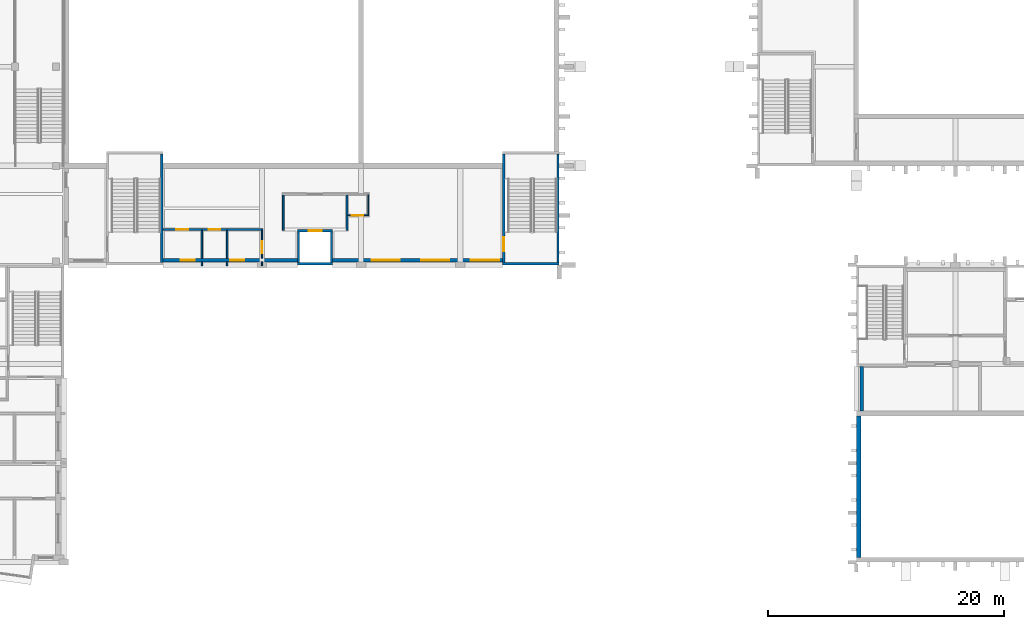
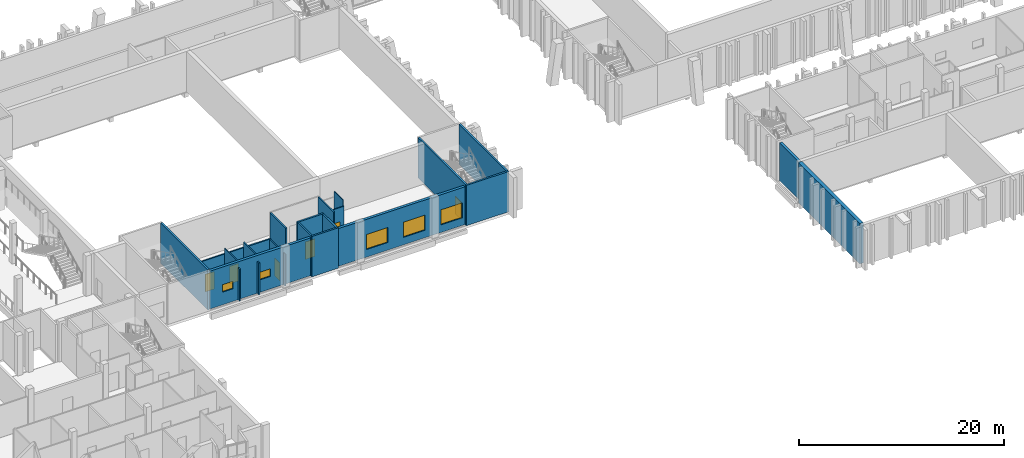
# One storey, part 35 of 91: 23 walls, 6 doors, 5 windows, 11 openings.
"""IFC4 building model written with IfcOpenShell, lengths in metres."""

from ifc_helpers import new_model, si_unit, direction, frame, frame_2d, origin, place, context, subcontext, project, spatial, rectangle, extrude, material, layer, layer_set, type_object, element, fill, save


model = new_model("IFC4")

# Units and contexts
model_context = context("Model", 3, precision=1e-05, world=origin(), true_north=direction((0.0, 1.0)))
body_context = subcontext(model_context, "Body", "Model", "MODEL_VIEW")
ifc_project = project(units=[si_unit("LENGTHUNIT", "METRE"), si_unit("AREAUNIT", "SQUARE_METRE"), si_unit("VOLUMEUNIT", "CUBIC_METRE"), si_unit("PLANEANGLEUNIT", "RADIAN"), si_unit("MASSUNIT", "GRAM", prefix="KILO")], contexts=[model_context])

# Site, building, storey
site_placement = place(None, origin())
site = spatial("IfcSite", under=ifc_project, at=site_placement, CompositionType="ELEMENT")
building_placement = place(site_placement, origin())
building = spatial("IfcBuilding", under=site, at=building_placement, Name="Kiln Court Media Centre", CompositionType="ELEMENT")
storey_placement = place(building_placement, frame((0.0, 0.0, 5.39990234375)))
storey = spatial("IfcBuildingStorey", under=building, at=storey_placement, Name="L01", CompositionType="ELEMENT", Elevation=5.39990234375)

# Walls
ifc_material_1 = material(Name="Concrete block masonry M7.5", Category="masonry")
ifc_layer_1 = layer(ifc_material_1, 0.14990234375)
ifc_layer_set_1 = layer_set([ifc_layer_1], Name="Block lobby wall 150 EI 120")
wall_type_1 = type_object("IfcWallType", Name="Block lobby wall 150 EI 120", PredefinedType="SOLIDWALL", material=ifc_layer_set_1)
for number, where, z_axis, x_axis, name in (
    (1, (77.39990234375, 28.125, 0.0), (0.0, 0.0, 1.0), (0.0, 1.0, 0.0), "L01 block lobby wall"),
    (2, (82.800048828125, 28.125, 0.0), (0.0, 0.0, 1.0), (0.0, 1.0, 0.0), "L01 block lobby wall"),
):
    element("IfcWall", number, at=place(storey_placement, frame(where, z_axis=z_axis, x_axis=x_axis)), inside=storey, type_object=wall_type_1, Name=name, PredefinedType="SOLIDWALL", context=body_context, shape_type="SweptSolid", body=[
        extrude(rectangle(XDim=3.0, YDim=0.14990234375, at=frame_2d((1.5, 0.0))), origin(), (0.0, 0.0, 1.0), 4.5),
    ])

# Wall, openings, windows
ifc_material_2 = material(Name="Concrete C40/50", Category="concrete")
ifc_layer_2 = layer(ifc_material_2, 0.300048828125)
ifc_layer_set_2 = layer_set([ifc_layer_2], Name="Concrete C40/50 board-marked facade wall 300")
wall_type_2 = type_object("IfcWallType", Name="Concrete C40/50 board-marked facade wall 300", PredefinedType="SOLIDWALL", material=ifc_layer_set_2)
wall_1_placement = place(storey_placement, frame((78.60009765625, 25.60009765625, 0.0), z_axis=(0.0, 0.0, 1.0), x_axis=(-1.0, 0.0, 0.0)))
wall_1 = element("IfcWall", 3, at=wall_1_placement, inside=storey, type_object=wall_type_2, Name="V1 S facade wall 4001", PredefinedType="SOLIDWALL", context=body_context, shape_type="SweptSolid", body=[
    extrude(rectangle(XDim=11.400146484375, YDim=0.300048828125, at=frame_2d((5.7001953125, 0.0))), origin(), (0.0, 0.0, 1.0), 4.5),
])
opening_1_placement = place(wall_1_placement, frame((8.699951171875, 0.0, 1.5)))
opening_1 = element("IfcOpeningElement", 4, at=opening_1_placement, cuts=wall_1, Name="Opening WN1501", PredefinedType="OPENING", context=body_context, shape_type="SweptSolid", body=[
    extrude(rectangle(XDim=1.199951171875, YDim=0.89990234375, at=frame_2d((0.60009765625, 0.449951171875))), frame((0.0, 0.159912109375, 0.0), z_axis=(0.0, -1.0, 0.0), x_axis=(1.0, 0.0, 0.0)), (0.0, 0.0, 1.0), 0.320068359375),
])
opening_2_placement = place(wall_1_placement, frame((4.5, 0.0, 1.5)))
opening_2 = element("IfcOpeningElement", 5, at=opening_2_placement, cuts=wall_1, Name="Opening WN1502", PredefinedType="OPENING", context=body_context, shape_type="SweptSolid", body=[
    extrude(rectangle(XDim=1.199951171875, YDim=0.89990234375, at=frame_2d((0.60009765625, 0.449951171875))), frame((0.0, 0.159912109375, 0.0), z_axis=(0.0, -1.0, 0.0), x_axis=(1.0, 0.0, 0.0)), (0.0, 0.0, 1.0), 0.320068359375),
])
ifc_material_3 = material(Name="Aluminium 6063-T6", Category="aluminium")
window_type_1 = type_object("IfcWindowType", Name="Aluminium control room window 1200x900", PartitioningType="SINGLE_PANEL", PredefinedType="WINDOW", material=ifc_material_3)
window_1_placement = place(opening_1_placement, origin())
window_1 = element("IfcWindow", 6, at=window_1_placement, inside=storey, type_object=window_type_1, Name="V1 S wc window", OverallHeight=0.89990234375, OverallWidth=1.199951171875, PartitioningType="SINGLE_PANEL", PredefinedType="WINDOW", context=body_context, shape_type="SweptSolid", body=[
    extrude(rectangle(XDim=1.199951171875, YDim=0.89990234375, at=frame_2d((0.60009765625, 0.449951171875))), frame((0.0, 0.030029296875, 0.0), z_axis=(0.0, -1.0, 0.0), x_axis=(1.0, 0.0, 0.0)), (0.0, 0.0, 1.0), 0.06005859375),
])
fill(opening_1, window_1)
window_2_placement = place(opening_2_placement, origin())
window_2 = element("IfcWindow", 7, at=window_2_placement, inside=storey, type_object=window_type_1, Name="V1 S wc window", OverallHeight=0.89990234375, OverallWidth=1.199951171875, PartitioningType="SINGLE_PANEL", PredefinedType="WINDOW", context=body_context, shape_type="SweptSolid", body=[
    extrude(rectangle(XDim=1.199951171875, YDim=0.89990234375, at=frame_2d((0.60009765625, 0.449951171875))), frame((0.0, 0.030029296875, 0.0), z_axis=(0.0, -1.0, 0.0), x_axis=(1.0, 0.0, 0.0)), (0.0, 0.0, 1.0), 0.06005859375),
])
fill(opening_2, window_2)

wall_2_placement = place(storey_placement, frame((96.0, 25.60009765625, 0.0), z_axis=(0.0, 0.0, 1.0), x_axis=(-1.0, 0.0, 0.0)))
wall_2 = element("IfcWall", 8, at=wall_2_placement, inside=storey, type_object=wall_type_2, Name="V1 S facade wall 4002", PredefinedType="SOLIDWALL", context=body_context, shape_type="SweptSolid", body=[
    extrude(rectangle(XDim=14.39990234375, YDim=0.300048828125, at=frame_2d((7.199951171875, 0.0))), origin(), (0.0, 0.0, 1.0), 4.5),
])
opening_3_placement = place(wall_2_placement, frame((8.699951171875, 0.0, 0.89990234375)))
opening_3 = element("IfcOpeningElement", 9, at=opening_3_placement, cuts=wall_2, Name="Opening WN1503", PredefinedType="OPENING", context=body_context, shape_type="SweptSolid", body=[
    extrude(rectangle(XDim=2.39990234375, YDim=1.800048828125, at=frame_2d((1.199951171875, 0.89990234375))), frame((0.0, 0.159912109375, 0.0), z_axis=(0.0, -1.0, 0.0), x_axis=(1.0, 0.0, 0.0)), (0.0, 0.0, 1.0), 0.320068359375),
])
opening_4_placement = place(wall_2_placement, frame((4.5, 0.0, 0.89990234375)))
opening_4 = element("IfcOpeningElement", 10, at=opening_4_placement, cuts=wall_2, Name="Opening WN1504", PredefinedType="OPENING", context=body_context, shape_type="SweptSolid", body=[
    extrude(rectangle(XDim=2.39990234375, YDim=1.800048828125, at=frame_2d((1.199951171875, 0.89990234375))), frame((0.0, 0.159912109375, 0.0), z_axis=(0.0, -1.0, 0.0), x_axis=(1.0, 0.0, 0.0)), (0.0, 0.0, 1.0), 0.320068359375),
])
opening_5_placement = place(wall_2_placement, frame((0.300048828125, 0.0, 0.89990234375)))
opening_5 = element("IfcOpeningElement", 11, at=opening_5_placement, cuts=wall_2, Name="Opening WN1505", PredefinedType="OPENING", context=body_context, shape_type="SweptSolid", body=[
    extrude(rectangle(XDim=2.39990234375, YDim=1.800048828125, at=frame_2d((1.199951171875, 0.89990234375))), frame((0.0, 0.159912109375, 0.0), z_axis=(0.0, -1.0, 0.0), x_axis=(1.0, 0.0, 0.0)), (0.0, 0.0, 1.0), 0.320068359375),
])
ifc_material_4 = material(Name="Aluminium 6063-T6", Category="aluminium")
window_type_2 = type_object("IfcWindowType", Name="Aluminium lobby window 2400x1800", PartitioningType="TRIPLE_PANEL_VERTICAL", PredefinedType="WINDOW", material=ifc_material_4)
window_3_placement = place(opening_3_placement, origin())
window_3 = element("IfcWindow", 12, at=window_3_placement, inside=storey, type_object=window_type_2, Name="V1 S lounge window", OverallHeight=1.800048828125, OverallWidth=2.39990234375, PartitioningType="SINGLE_PANEL", PredefinedType="WINDOW", context=body_context, shape_type="SweptSolid", body=[
    extrude(rectangle(XDim=2.39990234375, YDim=1.800048828125, at=frame_2d((1.199951171875, 0.89990234375))), frame((0.0, 0.030029296875, 0.0), z_axis=(0.0, -1.0, 0.0), x_axis=(1.0, 0.0, 0.0)), (0.0, 0.0, 1.0), 0.06005859375),
])
fill(opening_3, window_3)
window_4_placement = place(opening_4_placement, origin())
window_4 = element("IfcWindow", 13, at=window_4_placement, inside=storey, type_object=window_type_2, Name="V1 S lounge window", OverallHeight=1.800048828125, OverallWidth=2.39990234375, PartitioningType="SINGLE_PANEL", PredefinedType="WINDOW", context=body_context, shape_type="SweptSolid", body=[
    extrude(rectangle(XDim=2.39990234375, YDim=1.800048828125, at=frame_2d((1.199951171875, 0.89990234375))), frame((0.0, 0.030029296875, 0.0), z_axis=(0.0, -1.0, 0.0), x_axis=(1.0, 0.0, 0.0)), (0.0, 0.0, 1.0), 0.06005859375),
])
fill(opening_4, window_4)
window_5_placement = place(opening_5_placement, origin())
window_5 = element("IfcWindow", 14, at=window_5_placement, inside=storey, type_object=window_type_2, Name="V1 S lounge window", OverallHeight=1.800048828125, OverallWidth=2.39990234375, PartitioningType="SINGLE_PANEL", PredefinedType="WINDOW", context=body_context, shape_type="SweptSolid", body=[
    extrude(rectangle(XDim=2.39990234375, YDim=1.800048828125, at=frame_2d((1.199951171875, 0.89990234375))), frame((0.0, 0.030029296875, 0.0), z_axis=(0.0, -1.0, 0.0), x_axis=(1.0, 0.0, 0.0)), (0.0, 0.0, 1.0), 0.06005859375),
])
fill(opening_5, window_5)

# Walls
wall_3_placement = place(storey_placement, frame((126.449951171875, 12.800048828125, 0.0), z_axis=(0.0, 0.0, 1.0), x_axis=(0.0, 1.0, 0.0)))
element("IfcWall", 15, at=wall_3_placement, inside=storey, type_object=wall_type_2, Name="V5 W facade wall 4011", PredefinedType="SOLIDWALL", context=body_context, shape_type="SweptSolid", body=[
    extrude(rectangle(XDim=3.800048828125, YDim=0.300048828125, at=frame_2d((1.89990234375, 0.0))), origin(), (0.0, 0.0, 1.0), 4.5),
])
ifc_material_5 = material(Name="Concrete C40/50", Category="concrete")
ifc_layer_3 = layer(ifc_material_5, 0.199951171875)
ifc_layer_set_3 = layer_set([ifc_layer_3], Name="Concrete C40/50 shear wall 200")
wall_type_3 = type_object("IfcWallType", Name="Concrete C40/50 shear wall 200", PredefinedType="SHEAR", material=ifc_layer_set_3)
wall_4_placement = place(storey_placement, frame((67.10009765625, 34.60009765625, 0.0), z_axis=(0.0, 0.0, 1.0), x_axis=(0.0, -1.0, 0.0)))
element("IfcWall", 16, at=wall_4_placement, inside=storey, type_object=wall_type_3, Name="L01-W-1035", PredefinedType="SHEAR", context=body_context, shape_type="SweptSolid", body=[
    extrude(rectangle(XDim=9.2001953125, YDim=0.199951171875, at=frame_2d((4.60009765625, 0.0))), origin(), (0.0, 0.0, 1.0), 4.800048828125),
])
wall_5_placement = place(storey_placement, frame((100.800048828125, 25.300048828125, 0.0), z_axis=(0.0, 0.0, 1.0), x_axis=(-1.0, 0.0, 0.0)))
element("IfcWall", 17, at=wall_5_placement, inside=storey, type_object=wall_type_3, Name="L01-W-1036", PredefinedType="SHEAR", context=body_context, shape_type="SweptSolid", body=[
    extrude(rectangle(XDim=4.800048828125, YDim=0.199951171875, at=frame_2d((2.39990234375, 0.0))), origin(), (0.0, 0.0, 1.0), 4.800048828125),
])

# Wall, opening, door
wall_6_placement = place(storey_placement, frame((96.10009765625, 25.39990234375, 0.0), z_axis=(0.0, 0.0, 1.0), x_axis=(0.0, 1.0, 0.0)))
wall_6 = element("IfcWall", 18, at=wall_6_placement, inside=storey, type_object=wall_type_3, Name="L01-W-1038", PredefinedType="SHEAR", context=body_context, shape_type="SweptSolid", body=[
    extrude(rectangle(XDim=9.2001953125, YDim=0.199951171875, at=frame_2d((4.60009765625, 0.0))), origin(), (0.0, 0.0, 1.0), 4.800048828125),
])
opening_6_placement = place(wall_6_placement, frame((0.9501953125, 0.0, 0.0)))
opening_6 = element("IfcOpeningElement", 19, at=opening_6_placement, cuts=wall_6, Name="Opening D1002", PredefinedType="OPENING", context=body_context, shape_type="SweptSolid", body=[
    extrude(rectangle(XDim=1.199951171875, YDim=2.10009765625, at=frame_2d((0.60009765625, 1.050048828125))), frame((0.0, 0.10986328125, 0.0), z_axis=(0.0, -1.0, 0.0), x_axis=(1.0, 0.0, 0.0)), (0.0, 0.0, 1.0), 0.219970703125),
])
ifc_material_6 = material(Name="Steel S275", Category="steel")
door_type_1 = type_object("IfcDoorType", Name="Steel stair door 1200 x 2100 FD180", OperationType="SINGLE_SWING_LEFT", PredefinedType="DOOR", material=ifc_material_6)
door_1_placement = place(opening_6_placement, origin())
door_1 = element("IfcDoor", 20, at=door_1_placement, inside=storey, type_object=door_type_1, Name="Cinema Lounge / Stair 10", OperationType="SINGLE_SWING_LEFT", OverallHeight=2.10009765625, OverallWidth=1.199951171875, PredefinedType="DOOR", context=body_context, shape_type="SweptSolid", body=[
    extrude(rectangle(XDim=1.199951171875, YDim=2.10009765625, at=frame_2d((0.60009765625, 1.050048828125))), frame((0.0, 0.02490234375, 0.0), z_axis=(0.0, -1.0, 0.0), x_axis=(1.0, 0.0, 0.0)), (0.0, 0.0, 1.0), 0.050048828125),
])
fill(opening_6, door_1)

# Walls
wall_7_placement = place(storey_placement, frame((100.699951171875, 34.60009765625, 0.0), z_axis=(0.0, 0.0, 1.0), x_axis=(0.0, -1.0, 0.0)))
element("IfcWall", 21, at=wall_7_placement, inside=storey, type_object=wall_type_3, Name="L01-W-1039", PredefinedType="SHEAR", context=body_context, shape_type="SweptSolid", body=[
    extrude(rectangle(XDim=9.2001953125, YDim=0.199951171875, at=frame_2d((4.60009765625, 0.0))), origin(), (0.0, 0.0, 1.0), 4.800048828125),
])
wall_8_placement = place(storey_placement, frame((81.60009765625, 25.300048828125, 0.0), z_axis=(0.0, 0.0, 1.0), x_axis=(-1.0, 0.0, 0.0)))
element("IfcWall", 22, at=wall_8_placement, inside=storey, type_object=wall_type_3, Name="L01-W-1090", PredefinedType="SHEAR", context=body_context, shape_type="SweptSolid", body=[
    extrude(rectangle(XDim=3.0, YDim=0.199951171875, at=frame_2d((1.5, 0.0))), origin(), (0.0, 0.0, 1.0), 4.800048828125),
])

# Wall, opening, door
wall_9_placement = place(storey_placement, frame((78.60009765625, 28.10009765625, 0.0), z_axis=(0.0, 0.0, 1.0), x_axis=(1.0, 0.0, 0.0)))
wall_9 = element("IfcWall", 23, at=wall_9_placement, inside=storey, type_object=wall_type_3, Name="L01-W-1091", PredefinedType="SHEAR", context=body_context, shape_type="SweptSolid", body=[
    extrude(rectangle(XDim=3.0, YDim=0.199951171875, at=frame_2d((1.5, 0.0))), origin(), (0.0, 0.0, 1.0), 4.800048828125),
])
opening_7_placement = place(wall_9_placement, frame((0.949951171875, 0.0, 0.0)))
opening_7 = element("IfcOpeningElement", 24, at=opening_7_placement, cuts=wall_9, Name="Opening LD109", PredefinedType="OPENING", context=body_context, shape_type="SweptSolid", body=[
    extrude(rectangle(XDim=1.10009765625, YDim=2.10009765625, at=frame_2d((0.550048828125, 1.050048828125))), frame((0.0, 0.10986328125, 0.0), z_axis=(0.0, -1.0, 0.0), x_axis=(1.0, 0.0, 0.0)), (0.0, 0.0, 1.0), 0.219970703125),
])
ifc_material_7 = material(Name="Stainless steel", Category="steel")
door_type_2 = type_object("IfcDoorType", Name="Firefighting lift landing door 1100 x 2100 FD120", OperationType="SLIDING_TO_LEFT", PredefinedType="DOOR", material=ifc_material_7)
door_2_placement = place(opening_7_placement, origin())
door_2 = element("IfcDoor", 25, at=door_2_placement, inside=storey, type_object=door_type_2, Name="LF-09 landing door L01", OperationType="SLIDING_TO_LEFT", OverallHeight=2.10009765625, OverallWidth=1.10009765625, PredefinedType="DOOR", context=body_context, shape_type="SweptSolid", body=[
    extrude(rectangle(XDim=1.10009765625, YDim=2.10009765625, at=frame_2d((0.550048828125, 1.050048828125))), frame((0.0, 0.02490234375, 0.0), z_axis=(0.0, -1.0, 0.0), x_axis=(1.0, 0.0, 0.0)), (0.0, 0.0, 1.0), 0.050048828125),
])
fill(opening_7, door_2)

# Walls
for number, where, z_axis, x_axis, name in (
    (26, (78.699951171875, 25.39990234375, 0.0), (0.0, 0.0, 1.0), (0.0, 1.0, 0.0), "L01-W-1092"),
    (27, (81.5, 28.0, 0.0), (0.0, 0.0, 1.0), (0.0, -1.0, 0.0), "L01-W-1093"),
):
    element("IfcWall", number, at=place(storey_placement, frame(where, z_axis=z_axis, x_axis=x_axis)), inside=storey, type_object=wall_type_3, Name=name, PredefinedType="SHEAR", context=body_context, shape_type="SweptSolid", body=[
        extrude(rectangle(XDim=2.60009765625, YDim=0.199951171875, at=frame_2d((1.300048828125, 0.0))), origin(), (0.0, 0.0, 1.0), 4.800048828125),
    ])
ifc_material_8 = material(Name="Concrete C40/50", Category="concrete")
ifc_layer_4 = layer(ifc_material_8, 0.39990234375)
ifc_layer_set_4 = layer_set([ifc_layer_4], Name="Concrete C40/50 studio wall 400")
wall_type_4 = type_object("IfcWallType", Name="Concrete C40/50 studio wall 400", PredefinedType="SHEAR", material=ifc_layer_set_4)
wall_10_placement = place(storey_placement, frame((126.199951171875, 0.39990234375, 0.0), z_axis=(0.0, 0.0, 1.0), x_axis=(0.0, 1.0, 0.0)))
element("IfcWall", 28, at=wall_10_placement, inside=storey, type_object=wall_type_4, Name="L01-W-1134", PredefinedType="SHEAR", context=body_context, shape_type="SweptSolid", body=[
    extrude(rectangle(XDim=12.0, YDim=0.39990234375, at=frame_2d((6.0, 0.0))), origin(), (0.0, 0.0, 1.0), 4.800048828125),
])

# Wall, openings, doors
ifc_material_9 = material(Name="Gypsum plasterboard", Category="gypsum")
ifc_layer_5 = layer(ifc_material_9, 0.14990234375)
ifc_layer_set_5 = layer_set([ifc_layer_5], Name="Gypsum corridor partition 150 EI 60")
wall_type_5 = type_object("IfcWallType", Name="Gypsum corridor partition 150 EI 60", PredefinedType="PARTITIONING", material=ifc_layer_set_5)
wall_11_placement = place(storey_placement, frame((67.2001953125, 28.199951171875, 0.0), z_axis=(0.0, 0.0, 1.0), x_axis=(1.0, 0.0, 0.0)))
wall_11 = element("IfcWall", 29, at=wall_11_placement, inside=storey, type_object=wall_type_5, Name="L01 gypsum corridor partition", PredefinedType="PARTITIONING", context=body_context, shape_type="SweptSolid", body=[
    extrude(rectangle(XDim=8.474853515625, YDim=0.14990234375, at=frame_2d((4.2373046875, 0.0))), origin(), (0.0, 0.0, 1.0), 3.800048828125),
])
opening_8_placement = place(wall_11_placement, frame((1.14990234375, 0.0, 0.0)))
opening_8 = element("IfcOpeningElement", 30, at=opening_8_placement, cuts=wall_11, Name="Opening D1058", PredefinedType="OPENING", context=body_context, shape_type="SweptSolid", body=[
    extrude(rectangle(XDim=1.0, YDim=2.10009765625, at=frame_2d((0.5, 1.050048828125))), frame((0.0, 0.0849609375, 0.0), z_axis=(0.0, -1.0, 0.0), x_axis=(1.0, 0.0, 0.0)), (0.0, 0.0, 1.0), 0.169921875),
])
opening_9_placement = place(wall_11_placement, frame((3.875, 0.0, 0.0)))
opening_9 = element("IfcOpeningElement", 31, at=opening_9_placement, cuts=wall_11, Name="Opening D1059", PredefinedType="OPENING", context=body_context, shape_type="SweptSolid", body=[
    extrude(rectangle(XDim=1.0, YDim=2.10009765625, at=frame_2d((0.5, 1.050048828125))), frame((0.0, 0.0849609375, 0.0), z_axis=(0.0, -1.0, 0.0), x_axis=(1.0, 0.0, 0.0)), (0.0, 0.0, 1.0), 0.169921875),
])
ifc_material_10 = material(Name="Steel S275", Category="steel")
door_type_3 = type_object("IfcDoorType", Name="Steel corridor door 1000 x 2100 FD30S", OperationType="SINGLE_SWING_LEFT", PredefinedType="DOOR", material=ifc_material_10)
door_3_placement = place(opening_8_placement, origin())
door_3 = element("IfcDoor", 32, at=door_3_placement, inside=storey, type_object=door_type_3, Name="Women's WC / Toilet Lobby", OperationType="SINGLE_SWING_LEFT", OverallHeight=2.10009765625, OverallWidth=1.0, PredefinedType="DOOR", context=body_context, shape_type="SweptSolid", body=[
    extrude(rectangle(XDim=1.0, YDim=2.10009765625, at=frame_2d((0.5, 1.050048828125))), frame((0.0, 0.02490234375, 0.0), z_axis=(0.0, -1.0, 0.0), x_axis=(1.0, 0.0, 0.0)), (0.0, 0.0, 1.0), 0.050048828125),
])
fill(opening_8, door_3)
door_4_placement = place(opening_9_placement, origin())
door_4 = element("IfcDoor", 33, at=door_4_placement, inside=storey, type_object=door_type_3, Name="Men's WC / Toilet Lobby", OperationType="SINGLE_SWING_RIGHT", OverallHeight=2.10009765625, OverallWidth=1.0, PredefinedType="DOOR", context=body_context, shape_type="SweptSolid", body=[
    extrude(rectangle(XDim=1.0, YDim=2.10009765625, at=frame_2d((0.5, 1.050048828125))), frame((0.0, 0.02490234375, 0.0), z_axis=(0.0, -1.0, 0.0), x_axis=(1.0, 0.0, 0.0)), (0.0, 0.0, 1.0), 0.050048828125),
])
fill(opening_9, door_4)

# Wall, opening, door
ifc_material_11 = material(Name="Gypsum plasterboard", Category="gypsum")
ifc_layer_6 = layer(ifc_material_11, 0.10009765625)
ifc_layer_set_6 = layer_set([ifc_layer_6], Name="Gypsum stud partition 100")
wall_type_6 = type_object("IfcWallType", Name="Gypsum stud partition 100", PredefinedType="PARTITIONING", material=ifc_layer_set_6)
wall_12_placement = place(storey_placement, frame((82.875, 29.39990234375, 0.0), z_axis=(0.0, 0.0, 1.0), x_axis=(1.0, 0.0, 0.0)))
wall_12 = element("IfcWall", 34, at=wall_12_placement, inside=storey, type_object=wall_type_6, Name="L01 gypsum stud partition", PredefinedType="PARTITIONING", context=body_context, shape_type="SweptSolid", body=[
    extrude(rectangle(XDim=1.77490234375, YDim=0.10009765625, at=frame_2d((0.887451171875, 0.0))), origin(), (0.0, 0.0, 1.0), 3.800048828125),
])
opening_10_placement = place(wall_12_placement, frame((0.324951171875, 0.0, 0.0)))
opening_10 = element("IfcOpeningElement", 35, at=opening_10_placement, cuts=wall_12, Name="Opening D1023", PredefinedType="OPENING", context=body_context, shape_type="SweptSolid", body=[
    extrude(rectangle(XDim=1.0, YDim=2.10009765625, at=frame_2d((0.5, 1.050048828125))), frame((0.0, 0.06005859375, 0.0), z_axis=(0.0, -1.0, 0.0), x_axis=(1.0, 0.0, 0.0)), (0.0, 0.0, 1.0), 0.1201171875),
])
ifc_material_12 = material(Name="Timber", Category="wood")
door_type_4 = type_object("IfcDoorType", Name="Timber door 1000 x 2100", OperationType="SINGLE_SWING_LEFT", PredefinedType="DOOR", material=ifc_material_12)
door_5_placement = place(opening_10_placement, origin())
door_5 = element("IfcDoor", 36, at=door_5_placement, inside=storey, type_object=door_type_4, Name="Cinema Lounge / Wheelchair Refuge", OperationType="SINGLE_SWING_LEFT", OverallHeight=2.10009765625, OverallWidth=1.0, PredefinedType="DOOR", context=body_context, shape_type="SweptSolid", body=[
    extrude(rectangle(XDim=1.0, YDim=2.10009765625, at=frame_2d((0.5, 1.050048828125))), frame((0.0, 0.02490234375, 0.0), z_axis=(0.0, -1.0, 0.0), x_axis=(1.0, 0.0, 0.0)), (0.0, 0.0, 1.0), 0.050048828125),
])
fill(opening_10, door_5)

# Walls
wall_13_placement = place(storey_placement, frame((84.60009765625, 29.449951171875, 0.0), z_axis=(0.0, 0.0, 1.0), x_axis=(0.0, 1.0, 0.0)))
element("IfcWall", 37, at=wall_13_placement, inside=storey, type_object=wall_type_6, Name="L01 gypsum stud partition", PredefinedType="PARTITIONING", context=body_context, shape_type="SweptSolid", body=[
    extrude(rectangle(XDim=1.699951171875, YDim=0.10009765625, at=frame_2d((0.85009765625, 0.0))), origin(), (0.0, 0.0, 1.0), 4.5),
])
ifc_material_13 = material(Name="Gypsum plasterboard", Category="gypsum")
ifc_layer_7 = layer(ifc_material_13, 0.125)
ifc_layer_set_7 = layer_set([ifc_layer_7], Name="Gypsum wet-area partition 125")
wall_type_7 = type_object("IfcWallType", Name="Gypsum wet-area partition 125", PredefinedType="PARTITIONING", material=ifc_layer_set_7)
wall_14_placement = place(storey_placement, frame((70.5, 25.137451171875, 0.0), z_axis=(0.0, 0.0, 1.0), x_axis=(0.0, 1.0, 0.0)))
element("IfcWall", 38, at=wall_14_placement, inside=storey, type_object=wall_type_7, Name="L01 gypsum wet-area partition", PredefinedType="PARTITIONING", context=body_context, shape_type="SweptSolid", body=[
    extrude(rectangle(XDim=0.3125, YDim=0.125, at=frame_2d((0.15625, 0.0))), origin(), (0.0, 0.0, 1.0), 3.800048828125),
])
wall_15_placement = place(storey_placement, frame((70.5, 25.75, 0.0), z_axis=(0.0, 0.0, 1.0), x_axis=(0.0, 1.0, 0.0)))
element("IfcWall", 39, at=wall_15_placement, inside=storey, type_object=wall_type_7, Name="L01 gypsum wet-area partition", PredefinedType="PARTITIONING", context=body_context, shape_type="SweptSolid", body=[
    extrude(rectangle(XDim=2.375, YDim=0.125, at=frame_2d((1.1875, 0.0))), origin(), (0.0, 0.0, 1.0), 4.5),
])
wall_16_placement = place(storey_placement, frame((72.64990234375, 25.137451171875, 0.0), z_axis=(0.0, 0.0, 1.0), x_axis=(0.0, 1.0, 0.0)))
element("IfcWall", 40, at=wall_16_placement, inside=storey, type_object=wall_type_7, Name="L01 gypsum wet-area partition", PredefinedType="PARTITIONING", context=body_context, shape_type="SweptSolid", body=[
    extrude(rectangle(XDim=0.3125, YDim=0.125, at=frame_2d((0.15625, 0.0))), origin(), (0.0, 0.0, 1.0), 3.800048828125),
])
wall_17_placement = place(storey_placement, frame((72.64990234375, 25.75, 0.0), z_axis=(0.0, 0.0, 1.0), x_axis=(0.0, 1.0, 0.0)))
element("IfcWall", 41, at=wall_17_placement, inside=storey, type_object=wall_type_7, Name="L01 gypsum wet-area partition", PredefinedType="PARTITIONING", context=body_context, shape_type="SweptSolid", body=[
    extrude(rectangle(XDim=2.375, YDim=0.125, at=frame_2d((1.1875, 0.0))), origin(), (0.0, 0.0, 1.0), 4.5),
])
wall_18_placement = place(storey_placement, frame((75.60009765625, 25.137451171875, 0.0), z_axis=(0.0, 0.0, 1.0), x_axis=(0.0, 1.0, 0.0)))
element("IfcWall", 42, at=wall_18_placement, inside=storey, type_object=wall_type_7, Name="L01 gypsum wet-area partition", PredefinedType="PARTITIONING", context=body_context, shape_type="SweptSolid", body=[
    extrude(rectangle(XDim=0.3125, YDim=0.125, at=frame_2d((0.15625, 0.0))), origin(), (0.0, 0.0, 1.0), 3.800048828125),
])

# Wall, opening, door
wall_19_placement = place(storey_placement, frame((75.60009765625, 25.75, 0.0), z_axis=(0.0, 0.0, 1.0), x_axis=(0.0, 1.0, 0.0)))
wall_19 = element("IfcWall", 43, at=wall_19_placement, inside=storey, type_object=wall_type_7, Name="L01 gypsum wet-area partition", PredefinedType="PARTITIONING", context=body_context, shape_type="SweptSolid", body=[
    extrude(rectangle(XDim=2.375, YDim=0.125, at=frame_2d((1.1875, 0.0))), origin(), (0.0, 0.0, 1.0), 3.800048828125),
])
opening_11_placement = place(wall_19_placement, frame((0.449951171875, 0.0, 0.0)))
opening_11 = element("IfcOpeningElement", 44, at=opening_11_placement, cuts=wall_19, Name="Opening D1021", PredefinedType="OPENING", context=body_context, shape_type="SweptSolid", body=[
    extrude(rectangle(XDim=1.0, YDim=2.10009765625, at=frame_2d((0.5, 1.050048828125))), frame((0.0, 0.072509765625, 0.0), z_axis=(0.0, -1.0, 0.0), x_axis=(1.0, 0.0, 0.0)), (0.0, 0.0, 1.0), 0.14501953125),
])
ifc_material_14 = material(Name="Timber", Category="wood")
door_type_5 = type_object("IfcDoorType", Name="Accessible timber door 1000 x 2100", OperationType="SINGLE_SWING_LEFT", PredefinedType="DOOR", material=ifc_material_14)
door_6_placement = place(opening_11_placement, origin())
door_6 = element("IfcDoor", 45, at=door_6_placement, inside=storey, type_object=door_type_5, Name="Accessible WC / Cinema Lounge", OperationType="SINGLE_SWING_RIGHT", OverallHeight=2.10009765625, OverallWidth=1.0, PredefinedType="DOOR", context=body_context, shape_type="SweptSolid", body=[
    extrude(rectangle(XDim=1.0, YDim=2.10009765625, at=frame_2d((0.5, 1.050048828125))), frame((0.0, 0.02490234375, 0.0), z_axis=(0.0, -1.0, 0.0), x_axis=(1.0, 0.0, 0.0)), (0.0, 0.0, 1.0), 0.050048828125),
])
fill(opening_11, door_6)

save(model, "model.ifc")
